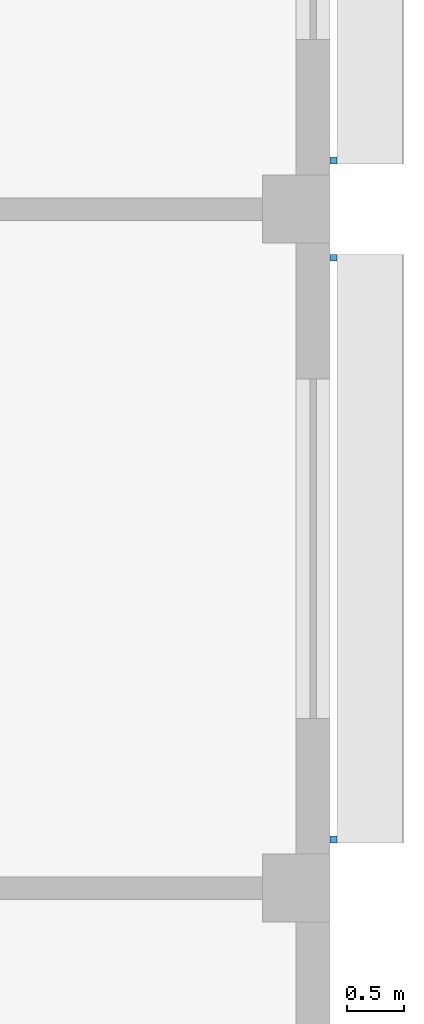
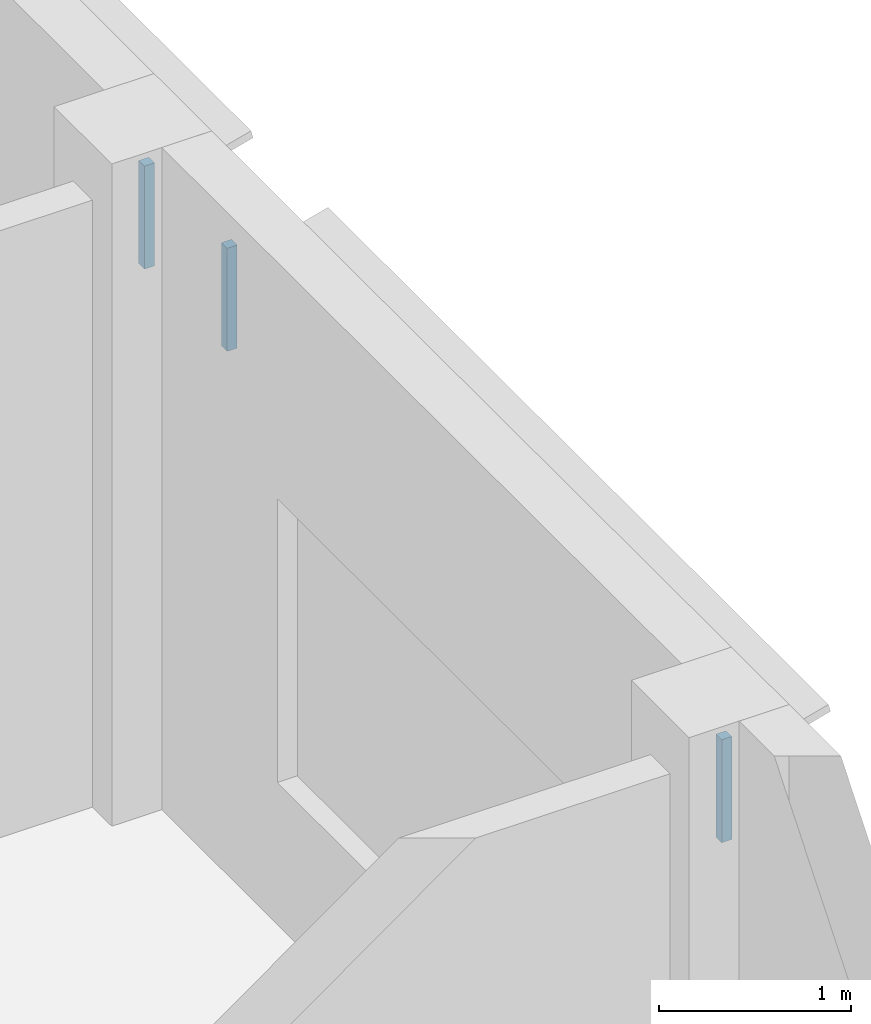
# One storey, part 31 of 45: 3 discrete accessories.
"""IFC4 building model written with IfcOpenShell, lengths in metres."""

from ifc_helpers import new_model, si_unit, direction, frame, origin, origin_2d, place, context, subcontext, project, spatial, rectangle, extrude, material, type_object, element, save


model = new_model("IFC4")

# Units and contexts
model_context = context("Model", 3, precision=1e-05, world=origin(), true_north=direction((0.0, 1.0)))
body_context = subcontext(model_context, "Body", "Model", "MODEL_VIEW")
ifc_project = project(units=[si_unit("LENGTHUNIT", "METRE"), si_unit("AREAUNIT", "SQUARE_METRE"), si_unit("VOLUMEUNIT", "CUBIC_METRE"), si_unit("PLANEANGLEUNIT", "RADIAN"), si_unit("MASSUNIT", "GRAM", prefix="KILO")], contexts=[model_context])

# Site, building, storey
site_placement = place(None, origin())
site = spatial("IfcSite", under=ifc_project, at=site_placement, CompositionType="ELEMENT")
building_placement = place(site_placement, origin())
building = spatial("IfcBuilding", under=site, at=building_placement, Name="Nakaniwa Court", CompositionType="ELEMENT")
storey_placement = place(building_placement, frame((0.0, 0.0, 11.39990234375)))
storey = spatial("IfcBuildingStorey", under=building, at=storey_placement, Name="L02", CompositionType="ELEMENT", Elevation=11.39990234375)

# Discrete accessories
ifc_material = material(Name="Black powder-coated steel bracket S275", Category="steel")
discrete_accessory_type = type_object("IfcDiscreteAccessoryType", Name="Hall black metal louvre bracket", PredefinedType="BRACKET", material=ifc_material)
for number, where, z_axis, x_axis, name in (
    (1, (218.030029296875, 74.429931640625, 2.8984375), (0.0, 0.0, 1.0), (0.0, -1.0, 0.0), "Louvre bracket L02 026.2"),
    (2, (218.030029296875, 73.570068359375, 2.8984375), (0.0, 0.0, 1.0), (0.0, -1.0, 0.0), "Louvre bracket L02 027.1"),
    (3, (218.030029296875, 68.429931640625, 2.8984375), (0.0, 0.0, 1.0), (0.0, -1.0, 0.0), "Louvre bracket L02 027.2"),
):
    element("IfcDiscreteAccessory", number, at=place(storey_placement, frame(where, z_axis=z_axis, x_axis=x_axis)), inside=storey, type_object=discrete_accessory_type, Name=name, PredefinedType="BRACKET", context=body_context, shape_type="SweptSolid", body=[
        extrude(rectangle(XDim=0.06005859375, YDim=0.06005859375, at=origin_2d()), origin(), (0.0, 0.0, 1.0), 0.653564453125),
    ])

save(model, "model.ifc")
